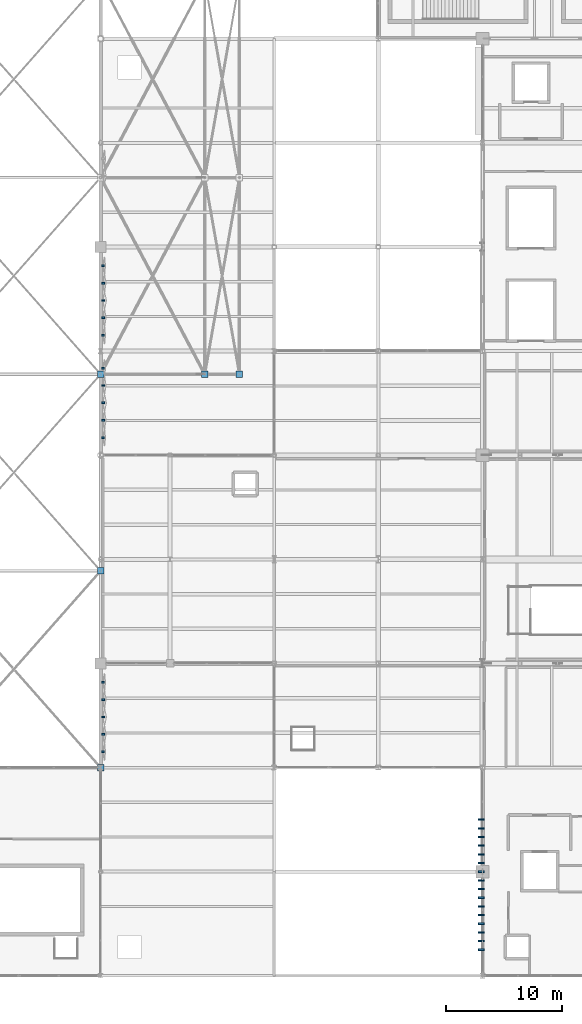
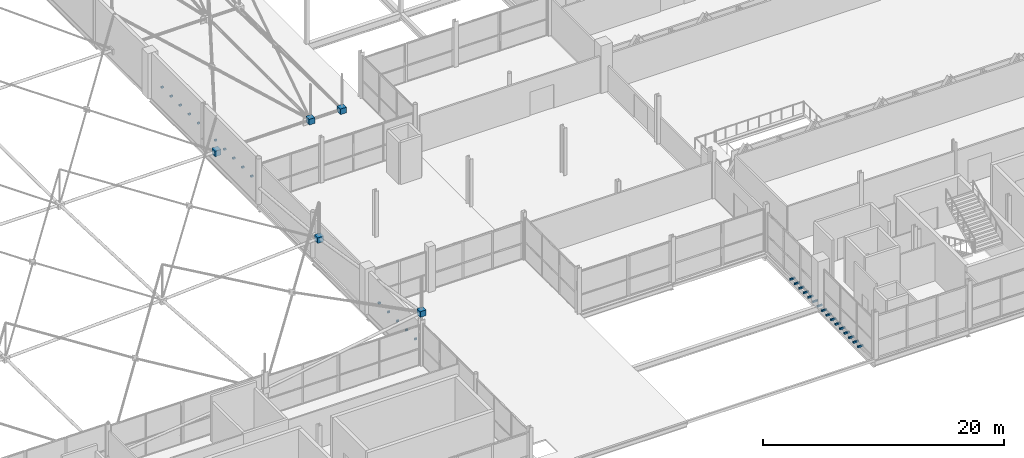
# One storey, part 213 of 224: 36 discrete accessories.
"""IFC4 building model written with IfcOpenShell, lengths in metres."""

import ifcopenshell
import ifcopenshell.guid

model = None  # the IFC model being written
_history = None  # IfcOwnerHistory: only IFC2X3 demands one
_inside = {}  # id of a spatial element -> (the spatial element, [elements in it])
_under = {}  # id of a project, library or spatial element -> (it, [spatial elements below it])
_declared = {}  # id of a project -> (the project, [libraries it declares])
_typed = {}  # id of a type object -> (the type object, [elements of that type])
_made_of = {}  # id of a material, layer set ... -> (it, [elements and type objects made of it])


def new_model(schema):
    """Start an empty IFC model of exactly this schema.

    Asked for "IFC4X3", IfcOpenShell would pick the latest addendum, in which some entities
    have other attributes; the version numbers below select the first issue.
    IFC2X3 requires an IfcOwnerHistory on every rooted entity: one is made here for all.
    """
    global model, _history
    if schema == "IFC4X3":
        model = ifcopenshell.file(schema_version=(4, 3, 0, 0))
    else:
        model = ifcopenshell.file(schema=schema)
    _inside.clear()
    _under.clear()
    _declared.clear()
    _typed.clear()
    _made_of.clear()
    _history = None
    if model.schema == "IFC2X3":
        org = make("IfcOrganization", Name="unknown")
        user = make(
            "IfcPersonAndOrganization",
            ThePerson=make("IfcPerson", FamilyName="unknown"),
            TheOrganization=org,
        )
        app = make(
            "IfcApplication",
            ApplicationDeveloper=org,
            Version="unknown",
            ApplicationFullName="unknown",
            ApplicationIdentifier="unknown",
        )
        _history = make(
            "IfcOwnerHistory",
            OwningUser=user,
            OwningApplication=app,
            ChangeAction="ADDED",
            CreationDate=0,
        )
    return model


def make(cls, **values):
    """One entity of the class cls with the attributes given. An attribute that is None is left unset."""
    return model.create_entity(
        cls, **{name: value for name, value in values.items() if value is not None}
    )


def rooted(cls, **values):
    """An entity with a GlobalId (a new one), such as an element, a storey or a relation."""
    return make(cls, GlobalId=ifcopenshell.guid.new(), OwnerHistory=_history, **values)


def si_unit(unit_type, name, prefix=None):
    """IfcSIUnit, for example si_unit("LENGTHUNIT", "METRE", prefix="MILLI")."""
    return make("IfcSIUnit", UnitType=unit_type, Prefix=prefix, Name=name)


def assignment(units):
    """IfcUnitAssignment: the units of a project."""
    return None if units is None else make("IfcUnitAssignment", Units=units)


def point(xyz):
    """IfcCartesianPoint."""
    return None if xyz is None else make("IfcCartesianPoint", Coordinates=xyz)


def direction(xyz):
    """IfcDirection."""
    return None if xyz is None else make("IfcDirection", DirectionRatios=xyz)


def frame(location, z_axis=None, x_axis=None):
    """IfcAxis2Placement3D, a coordinate frame: its origin and axes. An axis left out is left unset."""
    return make(
        "IfcAxis2Placement3D",
        Location=point(location),
        Axis=direction(z_axis),
        RefDirection=direction(x_axis),
    )


def frame_2d(location, x_axis=None):
    """IfcAxis2Placement2D, a coordinate frame in the plane: its origin and x axis."""
    return make(
        "IfcAxis2Placement2D", Location=point(location), RefDirection=direction(x_axis)
    )


def origin():
    """The frame at (0, 0, 0) with its axes left unset."""
    return frame((0.0, 0.0, 0.0))


def origin_2d():
    """The frame at (0, 0) in the plane with its x axis left unset."""
    return frame_2d((0.0, 0.0))


def place(relative_to, where):
    """IfcLocalPlacement: puts the frame where relative to a parent placement (None: the world)."""
    return make(
        "IfcLocalPlacement", PlacementRelTo=relative_to, RelativePlacement=where
    )


def context(
    kind, dimensions, precision=None, world=None, true_north=None, identifier=None
):
    """IfcGeometricRepresentationContext, for example the 3D "Model" context."""
    return make(
        "IfcGeometricRepresentationContext",
        ContextIdentifier=identifier,
        ContextType=kind,
        CoordinateSpaceDimension=dimensions,
        Precision=precision,
        WorldCoordinateSystem=world,
        TrueNorth=true_north,
    )


def subcontext(parent, identifier, kind, view, scale=None):
    """IfcGeometricRepresentationSubContext, for example "Body" below "Model"."""
    return make(
        "IfcGeometricRepresentationSubContext",
        ContextIdentifier=identifier,
        ContextType=kind,
        ParentContext=parent,
        TargetScale=scale,
        TargetView=view,
    )


def project(units=None, contexts=None):
    """IfcProject with its units and contexts."""
    return rooted(
        "IfcProject",
        Name="project",
        RepresentationContexts=contexts,
        UnitsInContext=assignment(units),
    )


def spatial(cls, under=None, at=None, **own):
    """A site, building, storey or space (cls), placed at a placement, below another one or the project."""
    s = rooted(cls, ObjectPlacement=at, **own)
    if under is not None:
        _under.setdefault(under.id(), (under, []))[1].append(s)
    return s


def profile(cls, at=None, kind="AREA", **sizes):
    """A parametric profile (cls). Its sizes go by their IFC names, for example OverallWidth=200.0."""
    return make(cls, ProfileType=kind, Position=at, **sizes)


def rectangle(**sizes):
    """IfcRectangleProfileDef."""
    return profile("IfcRectangleProfileDef", **sizes)


def extrude(swept, where, along, depth):
    """IfcExtrudedAreaSolid: the profile swept, set in the frame where, extruded along a direction by depth."""
    return make(
        "IfcExtrudedAreaSolid",
        SweptArea=swept,
        Position=where,
        ExtrudedDirection=direction(along),
        Depth=depth,
    )


def shape(context_of_items, identifier, shape_type, items):
    """IfcShapeRepresentation: the items that make up one representation, for example the "Body"."""
    return make(
        "IfcShapeRepresentation",
        ContextOfItems=context_of_items,
        RepresentationIdentifier=identifier,
        RepresentationType=shape_type,
        Items=items,
    )


def material(Name=None, Category=None):
    """IfcMaterial."""
    return make("IfcMaterial", Name=Name, Category=Category)


def made_of(thing, what):
    """Note that an element or type object is made of a material, layer set ...; save() writes the relation."""
    if what is not None:
        _made_of.setdefault(what.id(), (what, []))[1].append(thing)
    return thing


def type_object(cls, material=None, **own):
    """A type object (cls), such as IfcWallType, which elements share."""
    return made_of(rooted(cls, **own), material)


def element(
    cls,
    number,
    at=None,
    inside=None,
    cuts=None,
    type_object=None,
    material=None,
    context=None,
    identifier="Body",
    shape_type=None,
    held_by="IfcProductDefinitionShape",
    body=None,
    shapes=None,
    **own,
):
    """One element of the class cls, such as IfcWall. Its Tag is "e" and its number.

    at: its placement. inside: the storey or other place that contains it. cuts: it is an
    opening in that element (IfcRelVoidsElement). A single representation is given by context,
    identifier, shape_type and body (its items); several are given by shapes. held_by: the class
    of the entity that holds the representations. save() writes the other relations.
    """
    e = rooted(cls, Tag="e%d" % number, ObjectPlacement=at, **own)
    if body is not None:
        shapes = [shape(context, identifier, shape_type, body)]
    if shapes is not None:
        e.Representation = make(held_by, Representations=shapes)
    if inside is not None:
        _inside.setdefault(inside.id(), (inside, []))[1].append(e)
    if cuts is not None:
        rooted(
            "IfcRelVoidsElement", RelatingBuildingElement=cuts, RelatedOpeningElement=e
        )
    if type_object is not None:
        _typed.setdefault(type_object.id(), (type_object, []))[1].append(e)
    return made_of(e, material)


def aggregate(whole, parts):
    """IfcRelAggregates: a whole, such as a stair, and the parts it consists of."""
    return rooted("IfcRelAggregates", RelatingObject=whole, RelatedObjects=parts)


def save(model, path):
    """Write the relations noted so far, then the file.

    IfcRelAggregates (storeys below a building ...), IfcRelContainedInSpatialStructure (elements
    in a storey), IfcRelDefinesByType, IfcRelAssociatesMaterial and IfcRelDeclares: one each for
    every whole, place, type object, material and project.
    """
    for whole, parts in _under.values():
        aggregate(whole, parts)
    for where, things in _inside.values():
        rooted(
            "IfcRelContainedInSpatialStructure",
            RelatedElements=things,
            RelatingStructure=where,
        )
    for kind, things in _typed.values():
        rooted("IfcRelDefinesByType", RelatedObjects=things, RelatingType=kind)
    for what, things in _made_of.values():
        rooted("IfcRelAssociatesMaterial", RelatedObjects=things, RelatingMaterial=what)
    for by, libraries in _declared.values():
        rooted("IfcRelDeclares", RelatingContext=by, RelatedDefinitions=libraries)
    model.write(path)


model = new_model("IFC4")

# Units and contexts
model_context = context("Model", 3, precision=1e-05, world=origin(), true_north=direction((0.0, 1.0)))
body_context = subcontext(model_context, "Body", "Model", "MODEL_VIEW")
ifc_project = project(units=[si_unit("LENGTHUNIT", "METRE"), si_unit("AREAUNIT", "SQUARE_METRE"), si_unit("VOLUMEUNIT", "CUBIC_METRE"), si_unit("PLANEANGLEUNIT", "RADIAN"), si_unit("MASSUNIT", "GRAM", prefix="KILO")], contexts=[model_context])

# Site, building, storey
site_placement = place(None, origin())
site = spatial("IfcSite", under=ifc_project, at=site_placement, CompositionType="ELEMENT")
building_placement = place(site_placement, origin())
building = spatial("IfcBuilding", under=site, at=building_placement, Name="Qamarlyn Nura Convention Centre", CompositionType="ELEMENT")
storey_placement = place(building_placement, frame((0.0, 0.0, 10.800048828125)))
storey = spatial("IfcBuildingStorey", under=building, at=storey_placement, Name="L02", CompositionType="ELEMENT", Elevation=10.800048828125)

# Discrete accessories
ifc_material_1 = material(Name="Marine Grade 316 stainless steel", Category="steel")
discrete_accessory_type_1 = type_object("IfcDiscreteAccessoryType", Name="ACC-FIN-BRK", PredefinedType="BRACKET", material=ifc_material_1)
for number, where, z_axis, x_axis, name in (
    (1, (152.89990234375, 2.25, -0.18017578125), (0.0, 0.0, 1.0), (-1.0, 0.0, 0.0), "Vertical blade anchor bracket CLUST-B-01-L02"),
    (2, (152.89990234375, 3.0, -0.18017578125), (0.0, 0.0, 1.0), (-1.0, 0.0, 0.0), "Vertical blade anchor bracket CLUST-B-02-L02"),
    (3, (152.89990234375, 3.75, -0.18017578125), (0.0, 0.0, 1.0), (-1.0, 0.0, 0.0), "Vertical blade anchor bracket CLUST-B-03-L02"),
    (4, (152.89990234375, 4.5, -0.18017578125), (0.0, 0.0, 1.0), (-1.0, 0.0, 0.0), "Vertical blade anchor bracket CLUST-B-04-L02"),
    (5, (152.89990234375, 5.25, -0.18017578125), (0.0, 0.0, 1.0), (-1.0, 0.0, 0.0), "Vertical blade anchor bracket CLUST-B-05-L02"),
    (6, (152.89990234375, 6.0, -0.18017578125), (0.0, 0.0, 1.0), (-1.0, 0.0, 0.0), "Vertical blade anchor bracket CLUST-B-06-L02"),
    (7, (152.89990234375, 6.75, -0.18017578125), (0.0, 0.0, 1.0), (-1.0, 0.0, 0.0), "Vertical blade anchor bracket CLUST-B-07-L02"),
    (8, (152.89990234375, 7.5, -0.18017578125), (0.0, 0.0, 1.0), (-1.0, 0.0, 0.0), "Vertical blade anchor bracket CLUST-B-08-L02"),
    (9, (152.89990234375, 8.25, -0.18017578125), (0.0, 0.0, 1.0), (-1.0, 0.0, 0.0), "Vertical blade anchor bracket CLUST-B-09-L02"),
    (10, (152.89990234375, 9.0, -0.18017578125), (0.0, 0.0, 1.0), (-1.0, 0.0, 0.0), "Vertical blade anchor bracket CLUST-B-10-L02"),
    (11, (152.89990234375, 9.75, -0.18017578125), (0.0, 0.0, 1.0), (-1.0, 0.0, 0.0), "Vertical blade anchor bracket CLUST-B-11-L02"),
    (12, (152.89990234375, 10.5, -0.18017578125), (0.0, 0.0, 1.0), (-1.0, 0.0, 0.0), "Vertical blade anchor bracket CLUST-B-12-L02"),
    (13, (152.89990234375, 11.25, -0.18017578125), (0.0, 0.0, 1.0), (-1.0, 0.0, 0.0), "Vertical blade anchor bracket CLUST-B-13-L02"),
    (14, (152.89990234375, 12.0, -0.18017578125), (0.0, 0.0, 1.0), (-1.0, 0.0, 0.0), "Vertical blade anchor bracket CLUST-B-14-L02"),
    (15, (152.89990234375, 12.75, -0.18017578125), (0.0, 0.0, 1.0), (-1.0, 0.0, 0.0), "Vertical blade anchor bracket CLUST-B-15-L02"),
    (16, (152.89990234375, 13.5, -0.18017578125), (0.0, 0.0, 1.0), (-1.0, 0.0, 0.0), "Vertical blade anchor bracket CLUST-B-16-L02"),
):
    element("IfcDiscreteAccessory", number, at=place(storey_placement, frame(where, z_axis=z_axis, x_axis=x_axis)), inside=storey, type_object=discrete_accessory_type_1, Name=name, PredefinedType="BRACKET", context=body_context, shape_type="SweptSolid", body=[
        extrude(rectangle(XDim=0.52001953125, YDim=0.139892578125, at=origin_2d()), origin(), (0.0, 0.0, 1.0), 0.159912109375),
    ])
ifc_material_2 = material(Name="Pearl-white PVDF steel ASTM A500 Grade C", Category="steel")
discrete_accessory_type_2 = type_object("IfcDiscreteAccessoryType", Name="ACC-SF-NODE", PredefinedType="USERDEFINED", material=ifc_material_2)
for number, where, z_axis, x_axis, name in (
    (17, (120.0, 18.0, 5.0341796875), (0.0, 0.0, 1.0), (1.0, 0.0, 0.0), "Cast space frame node BC-10-2"),
    (18, (120.0, 35.0, 2.20361328125), (0.0, 0.0, 1.0), (1.0, 0.0, 0.0), "Cast space frame node BC-10-3"),
    (19, (120.0, 52.0, 0.6572265625), (0.0, 0.0, 1.0), (1.0, 0.0, 0.0), "Cast space frame node BC-10-4"),
    (20, (129.0, 52.0, 0.7255859375), (0.0, 0.0, 1.0), (1.0, 0.0, 0.0), "Cast space frame node BC-11-4"),
    (21, (132.0, 52.0, 0.730712890625), (0.0, 0.0, 1.0), (1.0, 0.0, 0.0), "Cast space frame node BC-12-4"),
):
    element("IfcDiscreteAccessory", number, at=place(storey_placement, frame(where, z_axis=z_axis, x_axis=x_axis)), inside=storey, type_object=discrete_accessory_type_2, Name=name, ObjectType="SPACE FRAME NODE", PredefinedType="USERDEFINED", context=body_context, shape_type="SweptSolid", body=[
        extrude(rectangle(XDim=0.56005859375, YDim=0.56005859375, at=origin_2d()), origin(), (0.0, 0.0, 1.0), 0.56005859375),
    ])
discrete_accessory_type_3 = type_object("IfcDiscreteAccessoryType", Name="ACC-TILE-BRK", PredefinedType="BRACKET", material=ifc_material_1)
discrete_accessory_1_placement = place(storey_placement, frame((120.218994140625, 25.36865234375, 1.6201171875), z_axis=(0.0, 0.0, 1.0), x_axis=(1.0, 0.0, 0.0)))
element("IfcDiscreteAccessory", 22, at=discrete_accessory_1_placement, inside=storey, type_object=discrete_accessory_type_3, Name="L02 diamond tile pivot bracket 0304", PredefinedType="BRACKET", context=body_context, shape_type="SweptSolid", body=[
    extrude(rectangle(XDim=0.218017578125, YDim=0.159912109375, at=origin_2d()), origin(), (0.0, 0.0, 1.0), 0.159912109375),
])
discrete_accessory_2_placement = place(storey_placement, frame((120.224365234375, 23.86865234375, 1.6201171875), z_axis=(0.0, 0.0, 1.0), x_axis=(1.0, 0.0, 0.0)))
element("IfcDiscreteAccessory", 23, at=discrete_accessory_2_placement, inside=storey, type_object=discrete_accessory_type_3, Name="L02 diamond tile pivot bracket 0305", PredefinedType="BRACKET", context=body_context, shape_type="SweptSolid", body=[
    extrude(rectangle(XDim=0.228515625, YDim=0.159912109375, at=origin_2d()), origin(), (0.0, 0.0, 1.0), 0.159912109375),
])
discrete_accessory_3_placement = place(storey_placement, frame((120.2265625, 22.36865234375, 1.6201171875), z_axis=(0.0, 0.0, 1.0), x_axis=(1.0, 0.0, 0.0)))
element("IfcDiscreteAccessory", 24, at=discrete_accessory_3_placement, inside=storey, type_object=discrete_accessory_type_3, Name="L02 diamond tile pivot bracket 0306", PredefinedType="BRACKET", context=body_context, shape_type="SweptSolid", body=[
    extrude(rectangle(XDim=0.23291015625, YDim=0.159912109375, at=origin_2d()), origin(), (0.0, 0.0, 1.0), 0.159912109375),
])
discrete_accessory_4_placement = place(storey_placement, frame((120.224365234375, 20.86865234375, 1.6201171875), z_axis=(0.0, 0.0, 1.0), x_axis=(1.0, 0.0, 0.0)))
element("IfcDiscreteAccessory", 25, at=discrete_accessory_4_placement, inside=storey, type_object=discrete_accessory_type_3, Name="L02 diamond tile pivot bracket 0307", PredefinedType="BRACKET", context=body_context, shape_type="SweptSolid", body=[
    extrude(rectangle(XDim=0.228515625, YDim=0.159912109375, at=origin_2d()), origin(), (0.0, 0.0, 1.0), 0.159912109375),
])
for number, where, z_axis, x_axis, name in (
    (26, (120.218994140625, 19.36865234375, 1.6201171875), (0.0, 0.0, 1.0), (1.0, 0.0, 0.0), "L02 diamond tile pivot bracket 0308"),
    (27, (120.218994140625, 52.520751953125, 1.6201171875), (0.0, 0.0, 1.0), (1.0, 0.0, 0.0), "L02 diamond tile pivot bracket 0309"),
):
    element("IfcDiscreteAccessory", number, at=place(storey_placement, frame(where, z_axis=z_axis, x_axis=x_axis)), inside=storey, type_object=discrete_accessory_type_3, Name=name, PredefinedType="BRACKET", context=body_context, shape_type="SweptSolid", body=[
        extrude(rectangle(XDim=0.218017578125, YDim=0.159912109375, at=origin_2d()), origin(), (0.0, 0.0, 1.0), 0.159912109375),
    ])
discrete_accessory_5_placement = place(storey_placement, frame((120.224365234375, 51.020751953125, 1.6201171875), z_axis=(0.0, 0.0, 1.0), x_axis=(1.0, 0.0, 0.0)))
element("IfcDiscreteAccessory", 28, at=discrete_accessory_5_placement, inside=storey, type_object=discrete_accessory_type_3, Name="L02 diamond tile pivot bracket 0310", PredefinedType="BRACKET", context=body_context, shape_type="SweptSolid", body=[
    extrude(rectangle(XDim=0.228515625, YDim=0.159912109375, at=origin_2d()), origin(), (0.0, 0.0, 1.0), 0.159912109375),
])
discrete_accessory_6_placement = place(storey_placement, frame((120.2265625, 49.520751953125, 1.6201171875), z_axis=(0.0, 0.0, 1.0), x_axis=(1.0, 0.0, 0.0)))
element("IfcDiscreteAccessory", 29, at=discrete_accessory_6_placement, inside=storey, type_object=discrete_accessory_type_3, Name="L02 diamond tile pivot bracket 0311", PredefinedType="BRACKET", context=body_context, shape_type="SweptSolid", body=[
    extrude(rectangle(XDim=0.23291015625, YDim=0.159912109375, at=origin_2d()), origin(), (0.0, 0.0, 1.0), 0.159912109375),
])
discrete_accessory_7_placement = place(storey_placement, frame((120.224365234375, 48.020751953125, 1.6201171875), z_axis=(0.0, 0.0, 1.0), x_axis=(1.0, 0.0, 0.0)))
element("IfcDiscreteAccessory", 30, at=discrete_accessory_7_placement, inside=storey, type_object=discrete_accessory_type_3, Name="L02 diamond tile pivot bracket 0312", PredefinedType="BRACKET", context=body_context, shape_type="SweptSolid", body=[
    extrude(rectangle(XDim=0.228515625, YDim=0.159912109375, at=origin_2d()), origin(), (0.0, 0.0, 1.0), 0.159912109375),
])
for number, where, z_axis, x_axis, name in (
    (31, (120.218994140625, 46.520751953125, 1.6201171875), (0.0, 0.0, 1.0), (1.0, 0.0, 0.0), "L02 diamond tile pivot bracket 0313"),
    (32, (120.218994140625, 61.36865234375, 1.6201171875), (0.0, 0.0, 1.0), (1.0, 0.0, 0.0), "L02 diamond tile pivot bracket 0314"),
):
    element("IfcDiscreteAccessory", number, at=place(storey_placement, frame(where, z_axis=z_axis, x_axis=x_axis)), inside=storey, type_object=discrete_accessory_type_3, Name=name, PredefinedType="BRACKET", context=body_context, shape_type="SweptSolid", body=[
        extrude(rectangle(XDim=0.218017578125, YDim=0.159912109375, at=origin_2d()), origin(), (0.0, 0.0, 1.0), 0.159912109375),
    ])
discrete_accessory_8_placement = place(storey_placement, frame((120.224365234375, 59.86865234375, 1.6201171875), z_axis=(0.0, 0.0, 1.0), x_axis=(1.0, 0.0, 0.0)))
element("IfcDiscreteAccessory", 33, at=discrete_accessory_8_placement, inside=storey, type_object=discrete_accessory_type_3, Name="L02 diamond tile pivot bracket 0315", PredefinedType="BRACKET", context=body_context, shape_type="SweptSolid", body=[
    extrude(rectangle(XDim=0.228515625, YDim=0.159912109375, at=origin_2d()), origin(), (0.0, 0.0, 1.0), 0.159912109375),
])
discrete_accessory_9_placement = place(storey_placement, frame((120.2265625, 58.36865234375, 1.6201171875), z_axis=(0.0, 0.0, 1.0), x_axis=(1.0, 0.0, 0.0)))
element("IfcDiscreteAccessory", 34, at=discrete_accessory_9_placement, inside=storey, type_object=discrete_accessory_type_3, Name="L02 diamond tile pivot bracket 0316", PredefinedType="BRACKET", context=body_context, shape_type="SweptSolid", body=[
    extrude(rectangle(XDim=0.23291015625, YDim=0.159912109375, at=origin_2d()), origin(), (0.0, 0.0, 1.0), 0.159912109375),
])
discrete_accessory_10_placement = place(storey_placement, frame((120.224365234375, 56.86865234375, 1.6201171875), z_axis=(0.0, 0.0, 1.0), x_axis=(1.0, 0.0, 0.0)))
element("IfcDiscreteAccessory", 35, at=discrete_accessory_10_placement, inside=storey, type_object=discrete_accessory_type_3, Name="L02 diamond tile pivot bracket 0317", PredefinedType="BRACKET", context=body_context, shape_type="SweptSolid", body=[
    extrude(rectangle(XDim=0.228515625, YDim=0.159912109375, at=origin_2d()), origin(), (0.0, 0.0, 1.0), 0.159912109375),
])
discrete_accessory_11_placement = place(storey_placement, frame((120.218994140625, 55.36865234375, 1.6201171875), z_axis=(0.0, 0.0, 1.0), x_axis=(1.0, 0.0, 0.0)))
element("IfcDiscreteAccessory", 36, at=discrete_accessory_11_placement, inside=storey, type_object=discrete_accessory_type_3, Name="L02 diamond tile pivot bracket 0318", PredefinedType="BRACKET", context=body_context, shape_type="SweptSolid", body=[
    extrude(rectangle(XDim=0.218017578125, YDim=0.159912109375, at=origin_2d()), origin(), (0.0, 0.0, 1.0), 0.159912109375),
])

save(model, "model.ifc")
